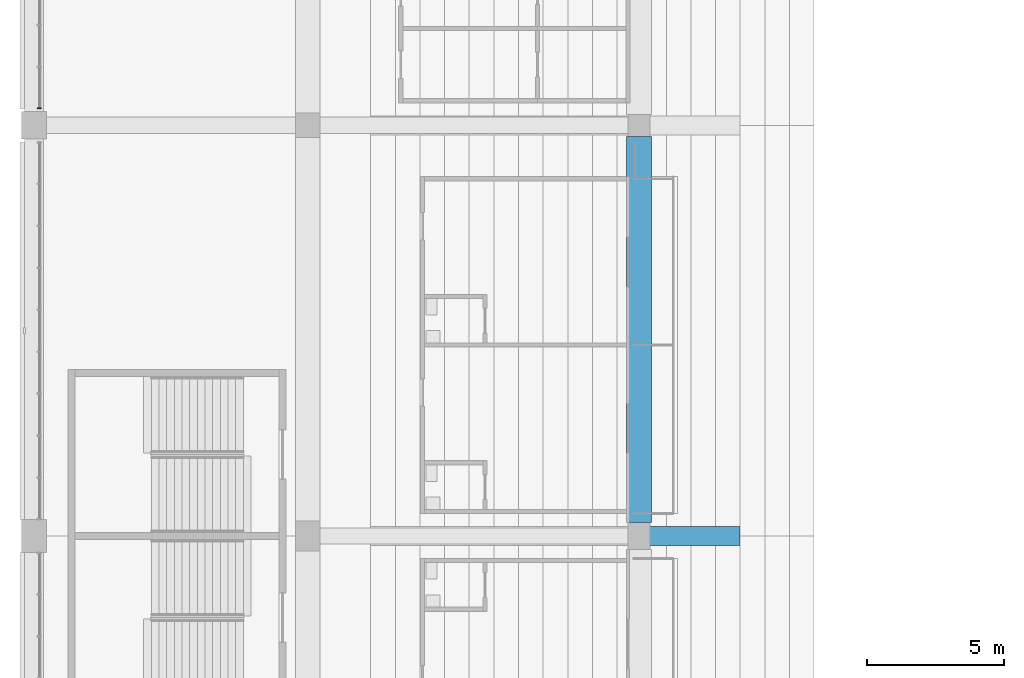
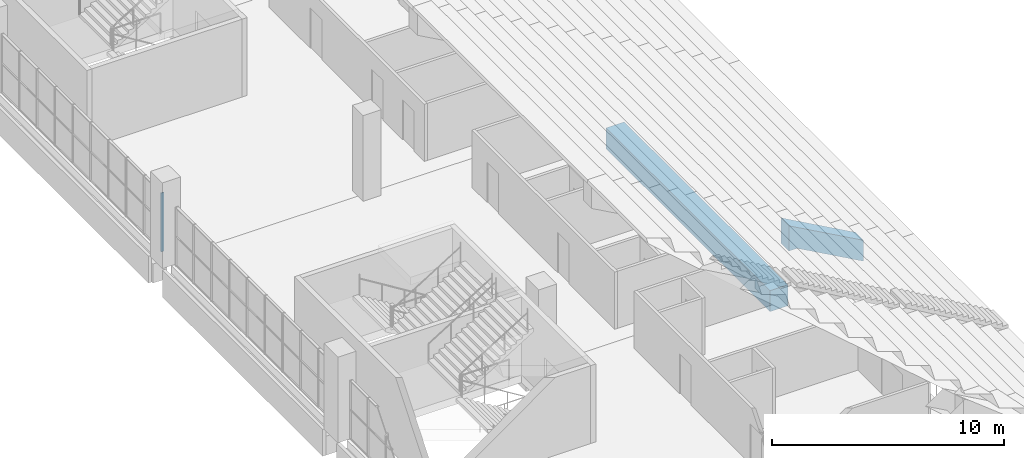
# One storey, part 19 of 249: 2 beams, 1 member, 1 element without a shape of its own.
"""IFC4 building model written with IfcOpenShell, lengths in metres."""

from ifc_helpers import new_model, si_unit, direction, frame, origin, origin_2d, place, context, subcontext, project, spatial, polyline, rectangle, outline, extrude, material, material_profile, profile_set, type_object, element, aggregate, save


model = new_model("IFC4")

# Units and contexts
model_context = context("Model", 3, precision=1e-05, world=origin(), true_north=direction((0.0, 1.0)))
body_context = subcontext(model_context, "Body", "Model", "MODEL_VIEW")
ifc_project = project(units=[si_unit("LENGTHUNIT", "METRE"), si_unit("AREAUNIT", "SQUARE_METRE"), si_unit("VOLUMEUNIT", "CUBIC_METRE"), si_unit("PLANEANGLEUNIT", "RADIAN"), si_unit("MASSUNIT", "GRAM", prefix="KILO")], contexts=[model_context])

# Site, building, storey
site_placement = place(None, origin())
site = spatial("IfcSite", under=ifc_project, at=site_placement, CompositionType="ELEMENT")
building_placement = place(site_placement, origin())
building = spatial("IfcBuilding", under=site, at=building_placement, Name="Ogive Plaza Stadium", CompositionType="ELEMENT")
storey_placement = place(building_placement, frame((0.0, 0.0, 13.5)))
storey = spatial("IfcBuildingStorey", under=building, at=storey_placement, Name="L03", CompositionType="ELEMENT", Elevation=13.5)

# Curtain wall, member
ifc_material_1 = material(Name="Bronze-anodised aluminium with laminated glass", Category="aluminium")
curtain_wall_type = type_object("IfcCurtainWallType", Name="Lancet curtain wall", PredefinedType="NOTDEFINED", material=ifc_material_1)
curtain_wall_placement = place(storey_placement, origin())
curtain_wall = element("IfcCurtainWall", 1, at=curtain_wall_placement, inside=storey, type_object=curtain_wall_type, Name="CURTAIN WALL B23 L03", PredefinedType="NOTDEFINED")
ifc_material_2 = material(Name="Bronze-anodised aluminium", Category="aluminium")
ifc_material_profile_1 = material_profile(ifc_material_2, rectangle(XDim=0.14990234375, YDim=0.050048828125, at=origin_2d()), Name="AL 150x50")
ifc_profile_set_1 = profile_set([ifc_material_profile_1], Name="Bronze-anodised aluminium")
member_type = type_object("IfcMemberType", Name="Curtain wall mullion 50x150", PredefinedType="MULLION", material=ifc_profile_set_1)
member_placement = place(storey_placement, frame((-83.800048828125, -21.875, 0.0), z_axis=(0.0, 0.0, 1.0), x_axis=(-1.0, 0.0, 0.0)))
member = element("IfcMember", 2, at=member_placement, type_object=member_type, Name="CW-B23-L03 mullion 1", PredefinedType="MULLION", context=body_context, shape_type="SweptSolid", body=[
    extrude(rectangle(XDim=0.14990234375, YDim=0.050048828125, at=origin_2d()), origin(), (0.0, 0.0, 1.0), 3.090087890625),
])
aggregate(curtain_wall, [member])

# Beams
ifc_material_3 = material(Name="Concrete C45/55 precast", Category="concrete")
ifc_material_profile_2 = material_profile(ifc_material_3, rectangle(XDim=0.699951171875, YDim=1.10009765625, at=origin_2d()), Name="RC 700x1100")
ifc_profile_set_2 = profile_set([ifc_material_profile_2], Name="Concrete C45/55 precast")
beam_type_1 = type_object("IfcBeamType", Name="Precast raker UT cantilever 700x1100", PredefinedType="USERDEFINED", material=ifc_profile_set_2)
beam_1_placement = place(storey_placement, frame((-34.0, -37.5, -13.5), z_axis=(0.0, 0.0, 1.0), x_axis=(-1.0, 0.0, 0.0)))
element("IfcBeam", 3, at=beam_1_placement, inside=storey, type_object=beam_type_1, Name="RAKER UT CANTILEVER R22", ObjectType="RAKER", PredefinedType="USERDEFINED", context=body_context, shape_type="SweptSolid", body=[
    extrude(outline(polyline([(24.199951171875, 13.699951171875), (27.5, 15.533203125), (27.89990234375, 15.533203125), (27.89990234375, 16.855712890625), (24.199951171875, 14.800048828125), (24.199951171875, 13.699951171875)])), frame((0.0, 0.35009765625, 0.0), z_axis=(0.0, -1.0, 0.0), x_axis=(1.0, 0.0, 0.0)), (0.0, 0.0, 1.0), 0.699951171875),
])
ifc_material_4 = material(Name="Concrete C40/50", Category="concrete")
ifc_material_profile_3 = material_profile(ifc_material_4, rectangle(XDim=0.89990234375, YDim=1.10009765625, at=origin_2d()), Name="RC 900x1100")
ifc_profile_set_3 = profile_set([ifc_material_profile_3], Name="Concrete C40/50")
beam_type_2 = type_object("IfcBeamType", Name="RC ring beam 900x1100", PredefinedType="BEAM", material=ifc_profile_set_3)
beam_2_placement = place(storey_placement, frame((-61.89990234375, -37.0, -0.9599609375), z_axis=(0.0, 1.0, 0.0), x_axis=(-1.0, 0.0, 0.0)))
element("IfcBeam", 4, at=beam_2_placement, inside=storey, type_object=beam_type_2, Name="Ring beam F3 L03 B22", PredefinedType="BEAM", context=body_context, shape_type="SweptSolid", body=[
    extrude(rectangle(XDim=0.89990234375, YDim=1.10009765625, at=origin_2d()), origin(), (0.0, 0.0, 1.0), 14.10009765625),
])

save(model, "model.ifc")
